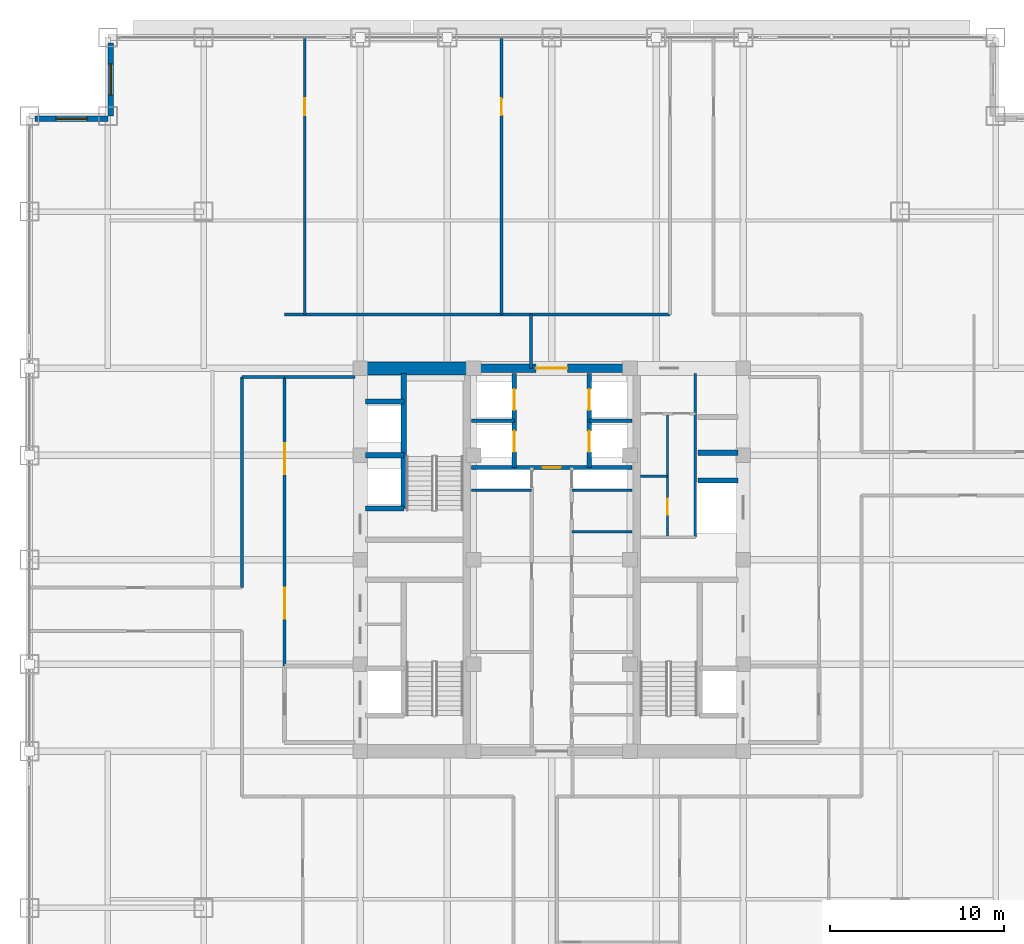
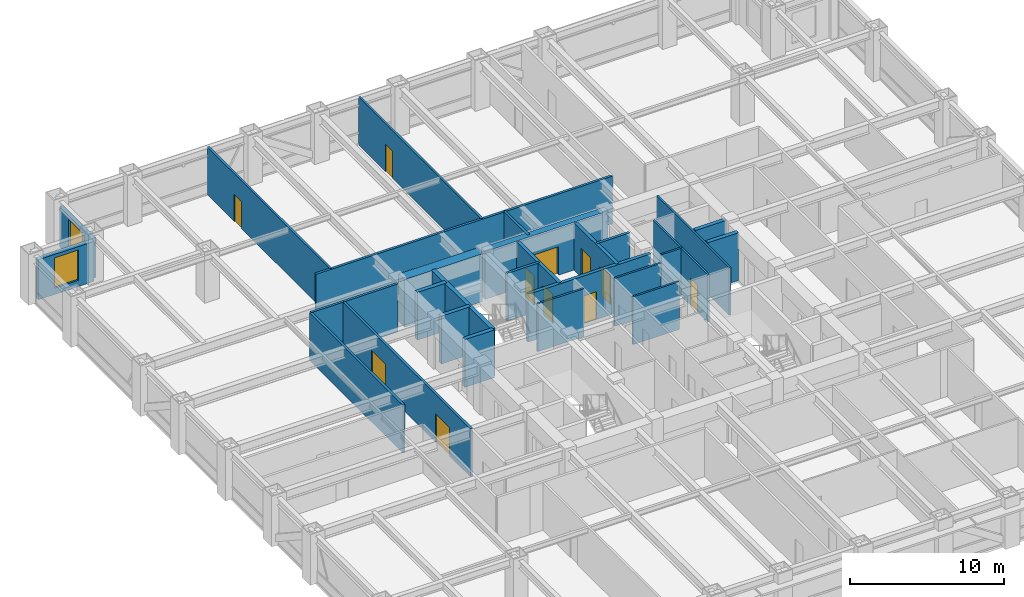
# One storey, part 22 of 28: 29 walls, 11 doors, 2 windows, 13 openings.
"""IFC4 building model written with IfcOpenShell, lengths in metres."""

from ifc_helpers import new_model, si_unit, direction, frame, frame_2d, origin, place, context, subcontext, project, spatial, rectangle, extrude, source, transform, mapped, material, layer, layer_set, type_object, element, fill, save


model = new_model("IFC4")

# Units and contexts
model_context = context("Model", 3, precision=1e-05, world=origin(), true_north=direction((0.0, 1.0)))
body_context = subcontext(model_context, "Body", "Model", "MODEL_VIEW")
ifc_project = project(units=[si_unit("LENGTHUNIT", "METRE"), si_unit("AREAUNIT", "SQUARE_METRE"), si_unit("VOLUMEUNIT", "CUBIC_METRE"), si_unit("PLANEANGLEUNIT", "RADIAN"), si_unit("MASSUNIT", "GRAM", prefix="KILO")], contexts=[model_context])

# Site, building, storey
site_placement = place(None, origin())
site = spatial("IfcSite", under=ifc_project, at=site_placement, CompositionType="ELEMENT")
building_placement = place(site_placement, origin())
building = spatial("IfcBuilding", under=site, at=building_placement, Name="Khorayat Bourse Tower", CompositionType="ELEMENT")
storey_placement = place(building_placement, frame((0.0, 0.0, 191.10009765625)))
storey = spatial("IfcBuildingStorey", under=building, at=storey_placement, Name="L44", CompositionType="ELEMENT", Elevation=191.10009765625)

# Wall
ifc_material_1 = material(Name="Concrete C72/90", Category="concrete")
ifc_layer_1 = layer(ifc_material_1, 0.75)
ifc_layer_set_1 = layer_set([ifc_layer_1], Name="Concrete C72/90")
wall_type_1 = type_object("IfcWallType", Name="WAL-CORE-750", PredefinedType="SHEAR", material=ifc_layer_set_1)
shared_shape_1 = source(origin(), body_context, "Body", "SweptSolid", [
    extrude(rectangle(XDim=5.849853515625, YDim=0.75, at=frame_2d((2.9248046875, 0.0))), origin(), (0.0, 0.0, 1.0), 3.77978515625),
])
wall_1_placement = place(storey_placement, frame((-10.699951171875, 11.0, 0.0), z_axis=(0.0, 0.0, 1.0), x_axis=(1.0, 0.0, 0.0)))
element("IfcWall", 1, at=wall_1_placement, inside=storey, type_object=wall_type_1, Name="L44 Core Shear Wall PIER-WN", PredefinedType="SHEAR", context=body_context, shape_type="MappedRepresentation", body=[
    mapped(shared_shape_1, transform((0.0, 0.0, 0.0), scale=1.0)),
])

# Wall, opening, door
ifc_material_2 = material(Name="Concrete C52/65", Category="concrete")
ifc_layer_2 = layer(ifc_material_2, 0.5)
ifc_layer_set_2 = layer_set([ifc_layer_2], Name="Concrete C52/65")
wall_type_2 = type_object("IfcWallType", Name="WAL-CORE-500", PredefinedType="SHEAR", material=ifc_layer_set_2)
shared_shape_2 = source(origin(), body_context, "Body", "SweptSolid", [
    extrude(rectangle(XDim=9.2001953125, YDim=0.5, at=frame_2d((4.60009765625, 0.0))), origin(), (0.0, 0.0, 1.0), 3.77978515625),
])
wall_2_placement = place(storey_placement, frame((-4.60009765625, 11.0, 0.0), z_axis=(0.0, 0.0, 1.0), x_axis=(1.0, 0.0, 0.0)))
wall_2 = element("IfcWall", 2, at=wall_2_placement, inside=storey, type_object=wall_type_2, Name="L44 Core Shear Wall CORE-N", PredefinedType="SHEAR", context=body_context, shape_type="MappedRepresentation", body=[
    mapped(shared_shape_2, transform((0.0, 0.0, 0.0), scale=1.0)),
])
shared_shape_3 = source(origin(), body_context, "Body", "SweptSolid", [
    extrude(rectangle(XDim=1.800048828125, YDim=2.25, at=frame_2d((0.89990234375, 1.125))), frame((0.0, 0.260009765625, 0.0), z_axis=(0.0, -1.0, 0.0), x_axis=(1.0, 0.0, 0.0)), (0.0, 0.0, 1.0), 0.52001953125),
])
opening_1_placement = place(wall_2_placement, frame((3.699951171875, 0.0, 0.0)))
opening_1 = element("IfcOpeningElement", 3, at=opening_1_placement, cuts=wall_2, Name="Opening DI-03", PredefinedType="OPENING", context=body_context, shape_type="MappedRepresentation", body=[
    mapped(shared_shape_3, transform((0.0, 0.0, 0.0), scale=1.0)),
])
ifc_material_3 = material(Name="Fire-rated hardwood vision-panel double leaf", Category="wood")
door_type_1 = type_object("IfcDoorType", Name="DR-INT-CORR-1800", OperationType="NOTDEFINED", PredefinedType="DOOR", material=ifc_material_3)
shared_shape_4 = source(origin(), body_context, "Body", "SweptSolid", [
    extrude(rectangle(XDim=1.800048828125, YDim=2.25, at=frame_2d((0.89990234375, 1.125))), frame((0.0, 0.02490234375, 0.0), z_axis=(0.0, -1.0, 0.0), x_axis=(1.0, 0.0, 0.0)), (0.0, 0.0, 1.0), 0.050048828125),
])
door_1_placement = place(opening_1_placement, origin())
door_1 = element("IfcDoor", 4, at=door_1_placement, inside=storey, type_object=door_type_1, Name="L44 Mid-Rise Lift Lobby Door", OperationType="SINGLE_SWING_RIGHT", OverallHeight=2.25, OverallWidth=1.800048828125, PredefinedType="DOOR", context=body_context, shape_type="MappedRepresentation", body=[
    mapped(shared_shape_4, transform((0.0, 0.0, 0.0), scale=1.0)),
])
fill(opening_1, door_1)

# Wall, opening, window
ifc_material_4 = material(Name="Precast concrete C45/55", Category="concrete")
ifc_layer_3 = layer(ifc_material_4, 0.320068359375)
ifc_layer_set_3 = layer_set([ifc_layer_3], Name="Precast concrete C45/55")
wall_type_3 = type_object("IfcWallType", Name="WAL-EXT-STONE-320", PredefinedType="STANDARD", material=ifc_layer_set_3)
shared_shape_5 = source(origin(), body_context, "Body", "SweptSolid", [
    extrude(rectangle(XDim=4.179931640625, YDim=0.320068359375, at=frame_2d((2.08984375, 0.0))), origin(), (0.0, 0.0, 1.0), 3.163818359375),
])
wall_3_placement = place(storey_placement, frame((-25.340087890625, 25.5, 0.0), z_axis=(0.0, 0.0, 1.0), x_axis=(0.0, 1.0, 0.0)))
wall_3 = element("IfcWall", 5, at=wall_3_placement, inside=storey, type_object=wall_type_3, Name="L44 Re-Entrant Notch Limestone Wall NW-V", PredefinedType="STANDARD", context=body_context, shape_type="MappedRepresentation", body=[
    mapped(shared_shape_5, transform((0.0, 0.0, 0.0), scale=1.0)),
])
shared_shape_6 = source(origin(), body_context, "Body", "SweptSolid", [
    extrude(rectangle(XDim=1.800048828125, YDim=2.39990234375, at=frame_2d((0.89990234375, 1.199951171875))), frame((0.0, 0.169921875, 0.0), z_axis=(0.0, -1.0, 0.0), x_axis=(1.0, 0.0, 0.0)), (0.0, 0.0, 1.0), 0.340087890625),
])
opening_2_placement = place(wall_3_placement, frame((1.18994140625, 0.0, 0.5)))
opening_2 = element("IfcOpeningElement", 6, at=opening_2_placement, cuts=wall_3, Name="Opening WN-04", PredefinedType="OPENING", context=body_context, shape_type="MappedRepresentation", body=[
    mapped(shared_shape_6, transform((0.0, 0.0, 0.0), scale=1.0)),
])
ifc_material_5 = material(Name="Low-E acoustic laminated double glazing", Category="glass")
window_type = type_object("IfcWindowType", Name="WIN-NOTCH-1800x2400", PartitioningType="SINGLE_PANEL", PredefinedType="WINDOW", material=ifc_material_5)
shared_shape_7 = source(origin(), body_context, "Body", "SweptSolid", [
    extrude(rectangle(XDim=1.800048828125, YDim=2.39990234375, at=frame_2d((0.89990234375, 1.199951171875))), frame((0.0, 0.030029296875, 0.0), z_axis=(0.0, -1.0, 0.0), x_axis=(1.0, 0.0, 0.0)), (0.0, 0.0, 1.0), 0.06005859375),
])
window_1_placement = place(opening_2_placement, origin())
window_1 = element("IfcWindow", 7, at=window_1_placement, inside=storey, type_object=window_type, Name="L44 Facade Window 1", OverallHeight=2.39990234375, OverallWidth=1.800048828125, PartitioningType="SINGLE_PANEL", PredefinedType="WINDOW", context=body_context, shape_type="MappedRepresentation", body=[
    mapped(shared_shape_7, transform((0.0, 0.0, 0.0), scale=1.0)),
])
fill(opening_2, window_1)

wall_4_placement = place(storey_placement, frame((-25.5, 25.340087890625, 0.0), z_axis=(0.0, 0.0, 1.0), x_axis=(-1.0, 0.0, 0.0)))
wall_4 = element("IfcWall", 8, at=wall_4_placement, inside=storey, type_object=wall_type_3, Name="L44 Re-Entrant Notch Limestone Wall NW-H", PredefinedType="STANDARD", context=body_context, shape_type="MappedRepresentation", body=[
    mapped(shared_shape_5, transform((0.0, 0.0, 0.0), scale=1.0)),
])
opening_3_placement = place(wall_4_placement, frame((1.18994140625, 0.0, 0.5)))
opening_3 = element("IfcOpeningElement", 9, at=opening_3_placement, cuts=wall_4, Name="Opening WN-04", PredefinedType="OPENING", context=body_context, shape_type="MappedRepresentation", body=[
    mapped(shared_shape_6, transform((0.0, 0.0, 0.0), scale=1.0)),
])
window_2_placement = place(opening_3_placement, origin())
window_2 = element("IfcWindow", 10, at=window_2_placement, inside=storey, type_object=window_type, Name="L44 Facade Window 1", OverallHeight=2.39990234375, OverallWidth=1.800048828125, PartitioningType="SINGLE_PANEL", PredefinedType="WINDOW", context=body_context, shape_type="MappedRepresentation", body=[
    mapped(shared_shape_7, transform((0.0, 0.0, 0.0), scale=1.0)),
])
fill(opening_3, window_2)

# Walls
ifc_material_6 = material(Name="Concrete C50/60", Category="concrete")
ifc_layer_4 = layer(ifc_material_6, 0.300048828125)
ifc_layer_set_4 = layer_set([ifc_layer_4], Name="Concrete C50/60")
wall_type_4 = type_object("IfcWallType", Name="WAL-SHAFT-300", PredefinedType="SHEAR", material=ifc_layer_set_4)
shared_shape_8 = source(origin(), body_context, "Body", "SweptSolid", [
    extrude(rectangle(XDim=2.199951171875, YDim=0.300048828125, at=frame_2d((1.10009765625, 0.0))), origin(), (0.0, 0.0, 1.0), 3.77978515625),
])
for number, where, z_axis, x_axis, name in (
    (11, (-10.699951171875, 2.949951171875, 0.0), (0.0, 0.0, 1.0), (1.0, 0.0, 0.0), "L44 Partition WAL-L44-WPIER-H1S"),
    (12, (-10.699951171875, 6.0, 0.0), (0.0, 0.0, 1.0), (1.0, 0.0, 0.0), "L44 Partition WAL-L44-WPIER-H12"),
    (13, (-10.699951171875, 9.10009765625, 0.0), (0.0, 0.0, 1.0), (1.0, 0.0, 0.0), "L44 Partition WAL-L44-WPIER-H2N"),
):
    element("IfcWall", number, at=place(storey_placement, frame(where, z_axis=z_axis, x_axis=x_axis)), inside=storey, type_object=wall_type_4, Name=name, PredefinedType="SHEAR", context=body_context, shape_type="MappedRepresentation", body=[
        mapped(shared_shape_8, transform((0.0, 0.0, 0.0), scale=1.0)),
    ])
shared_shape_9 = source(origin(), body_context, "Body", "SweptSolid", [
    extrude(rectangle(XDim=7.75, YDim=0.300048828125, at=frame_2d((3.875, 0.0))), origin(), (0.0, 0.0, 1.0), 3.77978515625),
])
wall_5_placement = place(storey_placement, frame((-8.5, 2.949951171875, 0.0), z_axis=(0.0, 0.0, 1.0), x_axis=(0.0, 1.0, 0.0)))
element("IfcWall", 14, at=wall_5_placement, inside=storey, type_object=wall_type_4, Name="L44 Partition WAL-L44-WPIER-ST2S", PredefinedType="SHEAR", context=body_context, shape_type="MappedRepresentation", body=[
    mapped(shared_shape_9, transform((0.0, 0.0, 0.0), scale=1.0)),
])
shared_shape_10 = source(origin(), body_context, "Body", "SweptSolid", [
    extrude(rectangle(XDim=2.300048828125, YDim=0.300048828125, at=frame_2d((1.14990234375, 0.0))), origin(), (0.0, 0.0, 1.0), 3.77978515625),
])
for number, where, z_axis, x_axis, name in (
    (15, (8.39990234375, 4.550048828125, 0.0), (0.0, 0.0, 1.0), (1.0, 0.0, 0.0), "L44 Partition WAL-L44-EPIER-SVLN"),
    (16, (8.39990234375, 6.14990234375, 0.0), (0.0, 0.0, 1.0), (1.0, 0.0, 0.0), "L44 Partition WAL-L44-EPIER-H3S"),
):
    element("IfcWall", number, at=place(storey_placement, frame(where, z_axis=z_axis, x_axis=x_axis)), inside=storey, type_object=wall_type_4, Name=name, PredefinedType="SHEAR", context=body_context, shape_type="MappedRepresentation", body=[
        mapped(shared_shape_10, transform((0.0, 0.0, 0.0), scale=1.0)),
    ])
ifc_material_7 = material(Name="Moisture-resistant masonry partition", Category="masonry")
ifc_layer_5 = layer(ifc_material_7, 0.139892578125)
ifc_layer_set_5 = layer_set([ifc_layer_5], Name="Moisture-resistant masonry partition")
wall_type_5 = type_object("IfcWallType", Name="WAL-PART-WET-140", PredefinedType="PARTITIONING", material=ifc_layer_set_5)
shared_shape_11 = source(origin(), body_context, "Body", "SweptSolid", [
    extrude(rectangle(XDim=9.39990234375, YDim=0.139892578125, at=frame_2d((4.699951171875, 0.0))), origin(), (0.0, 0.0, 1.0), 3.77978515625),
])
wall_6_placement = place(storey_placement, frame((8.25, 1.300048828125, 0.0), z_axis=(0.0, 0.0, 1.0), x_axis=(0.0, 1.0, 0.0)))
element("IfcWall", 17, at=wall_6_placement, inside=storey, type_object=wall_type_5, Name="L44 Partition WAL-L44-ECORE-E", PredefinedType="PARTITIONING", context=body_context, shape_type="MappedRepresentation", body=[
    mapped(shared_shape_11, transform((0.0, 0.0, 0.0), scale=1.0)),
])
ifc_material_8 = material(Name="Gypsum plasterboard acoustic stud wall")
ifc_layer_6 = layer(ifc_material_8, 0.179931640625)
ifc_layer_set_6 = layer_set([ifc_layer_6], Name="Gypsum plasterboard acoustic stud wall")
wall_type_6 = type_object("IfcWallType", Name="WAL-PART-CORR-180", PredefinedType="PARTITIONING", material=ifc_layer_set_6)
shared_shape_12 = source(origin(), body_context, "Body", "SweptSolid", [
    extrude(rectangle(XDim=4.050048828125, YDim=0.179931640625, at=frame_2d((2.02490234375, 0.0))), origin(), (0.0, 0.0, 1.0), 3.77978515625),
])
wall_7_placement = place(storey_placement, frame((-15.35009765625, 10.5, 0.0), z_axis=(0.0, 0.0, 1.0), x_axis=(1.0, 0.0, 0.0)))
element("IfcWall", 18, at=wall_7_placement, inside=storey, type_object=wall_type_6, Name="L44 Partition WAL-L44-WLOB-N", PredefinedType="PARTITIONING", context=body_context, shape_type="MappedRepresentation", body=[
    mapped(shared_shape_12, transform((0.0, 0.0, 0.0), scale=1.0)),
])

# Wall, openings, doors
shared_shape_13 = source(origin(), body_context, "Body", "SweptSolid", [
    extrude(rectangle(XDim=16.60009765625, YDim=0.179931640625, at=frame_2d((8.300048828125, 0.0))), origin(), (0.0, 0.0, 1.0), 3.77978515625),
])
wall_8_placement = place(storey_placement, frame((-15.35009765625, -6.10009765625, 0.0), z_axis=(0.0, 0.0, 1.0), x_axis=(0.0, 1.0, 0.0)))
wall_8 = element("IfcWall", 19, at=wall_8_placement, inside=storey, type_object=wall_type_6, Name="L44 Partition WAL-L44-WLOB-W", PredefinedType="PARTITIONING", context=body_context, shape_type="MappedRepresentation", body=[
    mapped(shared_shape_13, transform((0.0, 0.0, 0.0), scale=1.0)),
])
shared_shape_14 = source(origin(), body_context, "Body", "SweptSolid", [
    extrude(rectangle(XDim=1.800048828125, YDim=2.25, at=frame_2d((0.89990234375, 1.125))), frame((0.0, 0.099853515625, 0.0), z_axis=(0.0, -1.0, 0.0), x_axis=(1.0, 0.0, 0.0)), (0.0, 0.0, 1.0), 0.199951171875),
])
opening_4_placement = place(wall_8_placement, frame((2.699951171875, 0.0, 0.0)))
opening_4 = element("IfcOpeningElement", 20, at=opening_4_placement, cuts=wall_8, Name="Opening DI-03", PredefinedType="OPENING", context=body_context, shape_type="MappedRepresentation", body=[
    mapped(shared_shape_14, transform((0.0, 0.0, 0.0), scale=1.0)),
])
opening_5_placement = place(wall_8_placement, frame((11.0, 0.0, 0.0)))
opening_5 = element("IfcOpeningElement", 21, at=opening_5_placement, cuts=wall_8, Name="Opening DI-03", PredefinedType="OPENING", context=body_context, shape_type="MappedRepresentation", body=[
    mapped(shared_shape_14, transform((0.0, 0.0, 0.0), scale=1.0)),
])
door_2_placement = place(opening_4_placement, origin())
door_2 = element("IfcDoor", 22, at=door_2_placement, inside=storey, type_object=door_type_1, Name="L44 West Core Lobby South Door", OperationType="SINGLE_SWING_LEFT", OverallHeight=2.25, OverallWidth=1.800048828125, PredefinedType="DOOR", context=body_context, shape_type="MappedRepresentation", body=[
    mapped(shared_shape_4, transform((0.0, 0.0, 0.0), scale=1.0)),
])
fill(opening_4, door_2)
door_3_placement = place(opening_5_placement, origin())
door_3 = element("IfcDoor", 23, at=door_3_placement, inside=storey, type_object=door_type_1, Name="L44 West Core Lobby North Door", OperationType="SINGLE_SWING_RIGHT", OverallHeight=2.25, OverallWidth=1.800048828125, PredefinedType="DOOR", context=body_context, shape_type="MappedRepresentation", body=[
    mapped(shared_shape_4, transform((0.0, 0.0, 0.0), scale=1.0)),
])
fill(opening_5, door_3)

# Walls
ifc_material_9 = material(Name="Gypsum plasterboard twin-frame partition")
ifc_layer_7 = layer(ifc_material_9, 0.14990234375)
ifc_layer_set_7 = layer_set([ifc_layer_7], Name="Gypsum plasterboard twin-frame partition")
wall_type_7 = type_object("IfcWallType", Name="WAL-PART-SUITE-150", PredefinedType="PARTITIONING", material=ifc_layer_set_7)
shared_shape_15 = source(origin(), body_context, "Body", "SweptSolid", [
    extrude(rectangle(XDim=3.4501953125, YDim=0.14990234375, at=frame_2d((1.72509765625, 0.0))), origin(), (0.0, 0.0, 1.0), 3.77978515625),
])
for number, where, z_axis, x_axis, name in (
    (24, (-4.60009765625, 4.0, 0.0), (0.0, 0.0, 1.0), (1.0, 0.0, 0.0), "L44 Partition WAL-L44-CRSW-S"),
    (25, (1.14990234375, 4.0, 0.0), (0.0, 0.0, 1.0), (1.0, 0.0, 0.0), "L44 Partition WAL-L44-CRSE-S"),
):
    element("IfcWall", number, at=place(storey_placement, frame(where, z_axis=z_axis, x_axis=x_axis)), inside=storey, type_object=wall_type_7, Name=name, PredefinedType="PARTITIONING", context=body_context, shape_type="MappedRepresentation", body=[
        mapped(shared_shape_15, transform((0.0, 0.0, 0.0), scale=1.0)),
    ])
shared_shape_16 = source(origin(), body_context, "Body", "SweptSolid", [
    extrude(rectangle(XDim=3.4501953125, YDim=0.139892578125, at=frame_2d((1.72509765625, 0.0))), origin(), (0.0, 0.0, 1.0), 3.77978515625),
])
wall_9_placement = place(storey_placement, frame((1.14990234375, 1.60009765625, 0.0), z_axis=(0.0, 0.0, 1.0), x_axis=(1.0, 0.0, 0.0)))
element("IfcWall", 26, at=wall_9_placement, inside=storey, type_object=wall_type_5, Name="L44 Partition WAL-L44-CME-D2", PredefinedType="PARTITIONING", context=body_context, shape_type="MappedRepresentation", body=[
    mapped(shared_shape_16, transform((0.0, 0.0, 0.0), scale=1.0)),
])

# Wall, openings, doors
shared_shape_17 = source(origin(), body_context, "Body", "SweptSolid", [
    extrude(rectangle(XDim=5.39990234375, YDim=0.25, at=frame_2d((2.699951171875, 0.0))), origin(), (0.0, 0.0, 1.0), 3.77978515625),
])
wall_10_placement = place(storey_placement, frame((-2.14990234375, 5.300048828125, 0.0), z_axis=(0.0, 0.0, 1.0), x_axis=(0.0, 1.0, 0.0)))
wall_10 = element("IfcWall", 27, at=wall_10_placement, inside=storey, type_object=wall_type_4, Name="L44 Partition WAL-L44-B2-W", PredefinedType="SHEAR", context=body_context, shape_type="MappedRepresentation", body=[
    mapped(shared_shape_17, transform((0.0, 0.0, 0.0), scale=1.0)),
])
shared_shape_18 = source(origin(), body_context, "Body", "SweptSolid", [
    extrude(rectangle(XDim=1.199951171875, YDim=2.300048828125, at=frame_2d((0.60009765625, 1.14990234375))), frame((0.0, 0.135009765625, 0.0), z_axis=(0.0, -1.0, 0.0), x_axis=(1.0, 0.0, 0.0)), (0.0, 0.0, 1.0), 0.27001953125),
])
opening_6_placement = place(wall_10_placement, frame((3.300048828125, 0.0, 0.0)))
opening_6 = element("IfcOpeningElement", 28, at=opening_6_placement, cuts=wall_10, Name="Opening LD-01", PredefinedType="OPENING", context=body_context, shape_type="MappedRepresentation", body=[
    mapped(shared_shape_18, transform((0.0, 0.0, 0.0), scale=1.0)),
])
opening_7_placement = place(wall_10_placement, frame((0.89990234375, 0.0, 0.0)))
opening_7 = element("IfcOpeningElement", 29, at=opening_7_placement, cuts=wall_10, Name="Opening LD-01", PredefinedType="OPENING", context=body_context, shape_type="MappedRepresentation", body=[
    mapped(shared_shape_18, transform((0.0, 0.0, 0.0), scale=1.0)),
])
ifc_material_10 = material(Name="Brushed bronze stainless-steel sliding door", Category="steel")
door_type_2 = type_object("IfcDoorType", Name="DR-LIFT-PASS-1200", OperationType="NOTDEFINED", PredefinedType="DOOR", material=ifc_material_10)
shared_shape_19 = source(origin(), body_context, "Body", "SweptSolid", [
    extrude(rectangle(XDim=1.199951171875, YDim=2.300048828125, at=frame_2d((0.60009765625, 1.14990234375))), frame((0.0, 0.02490234375, 0.0), z_axis=(0.0, -1.0, 0.0), x_axis=(1.0, 0.0, 0.0)), (0.0, 0.0, 1.0), 0.050048828125),
])
door_4_placement = place(opening_6_placement, origin())
door_4 = element("IfcDoor", 30, at=door_4_placement, inside=storey, type_object=door_type_2, Name="L44 Lift PL-M1 Sliding Landing Door", OperationType="SLIDING_TO_LEFT", OverallHeight=2.300048828125, OverallWidth=1.199951171875, PredefinedType="DOOR", context=body_context, shape_type="MappedRepresentation", body=[
    mapped(shared_shape_19, transform((0.0, 0.0, 0.0), scale=1.0)),
])
fill(opening_6, door_4)
door_5_placement = place(opening_7_placement, origin())
door_5 = element("IfcDoor", 31, at=door_5_placement, inside=storey, type_object=door_type_2, Name="L44 Lift PL-M3 Sliding Landing Door", OperationType="SLIDING_TO_LEFT", OverallHeight=2.300048828125, OverallWidth=1.199951171875, PredefinedType="DOOR", context=body_context, shape_type="MappedRepresentation", body=[
    mapped(shared_shape_19, transform((0.0, 0.0, 0.0), scale=1.0)),
])
fill(opening_7, door_5)

wall_11_placement = place(storey_placement, frame((2.14990234375, 5.300048828125, 0.0), z_axis=(0.0, 0.0, 1.0), x_axis=(0.0, 1.0, 0.0)))
wall_11 = element("IfcWall", 32, at=wall_11_placement, inside=storey, type_object=wall_type_4, Name="L44 Partition WAL-L44-B2-E", PredefinedType="SHEAR", context=body_context, shape_type="MappedRepresentation", body=[
    mapped(shared_shape_17, transform((0.0, 0.0, 0.0), scale=1.0)),
])
opening_8_placement = place(wall_11_placement, frame((3.300048828125, 0.0, 0.0)))
opening_8 = element("IfcOpeningElement", 33, at=opening_8_placement, cuts=wall_11, Name="Opening LD-01", PredefinedType="OPENING", context=body_context, shape_type="MappedRepresentation", body=[
    mapped(shared_shape_18, transform((0.0, 0.0, 0.0), scale=1.0)),
])
opening_9_placement = place(wall_11_placement, frame((0.89990234375, 0.0, 0.0)))
opening_9 = element("IfcOpeningElement", 34, at=opening_9_placement, cuts=wall_11, Name="Opening LD-01", PredefinedType="OPENING", context=body_context, shape_type="MappedRepresentation", body=[
    mapped(shared_shape_18, transform((0.0, 0.0, 0.0), scale=1.0)),
])
door_6_placement = place(opening_8_placement, origin())
door_6 = element("IfcDoor", 35, at=door_6_placement, inside=storey, type_object=door_type_2, Name="L44 Lift PL-M2 Sliding Landing Door", OperationType="SLIDING_TO_LEFT", OverallHeight=2.300048828125, OverallWidth=1.199951171875, PredefinedType="DOOR", context=body_context, shape_type="MappedRepresentation", body=[
    mapped(shared_shape_19, transform((0.0, 0.0, 0.0), scale=1.0)),
])
fill(opening_8, door_6)
door_7_placement = place(opening_9_placement, origin())
door_7 = element("IfcDoor", 36, at=door_7_placement, inside=storey, type_object=door_type_2, Name="L44 Lift PL-M4 Sliding Landing Door", OperationType="SLIDING_TO_LEFT", OverallHeight=2.300048828125, OverallWidth=1.199951171875, PredefinedType="DOOR", context=body_context, shape_type="MappedRepresentation", body=[
    mapped(shared_shape_19, transform((0.0, 0.0, 0.0), scale=1.0)),
])
fill(opening_9, door_7)

# Walls
shared_shape_20 = source(origin(), body_context, "Body", "SweptSolid", [
    extrude(rectangle(XDim=2.4501953125, YDim=0.199951171875, at=frame_2d((1.22509765625, 0.0))), origin(), (0.0, 0.0, 1.0), 3.77978515625),
])
for number, where, z_axis, x_axis, name in (
    (37, (-4.60009765625, 8.0, 0.0), (0.0, 0.0, 1.0), (1.0, 0.0, 0.0), "L44 Partition WAL-L44-B2-MW"),
    (38, (2.14990234375, 8.0, 0.0), (0.0, 0.0, 1.0), (1.0, 0.0, 0.0), "L44 Partition WAL-L44-B2-ME"),
):
    element("IfcWall", number, at=place(storey_placement, frame(where, z_axis=z_axis, x_axis=x_axis)), inside=storey, type_object=wall_type_4, Name=name, PredefinedType="SHEAR", context=body_context, shape_type="MappedRepresentation", body=[
        mapped(shared_shape_20, transform((0.0, 0.0, 0.0), scale=1.0)),
    ])

# Wall, opening, door
shared_shape_21 = source(origin(), body_context, "Body", "SweptSolid", [
    extrude(rectangle(XDim=9.2001953125, YDim=0.25, at=frame_2d((4.60009765625, 0.0))), origin(), (0.0, 0.0, 1.0), 3.77978515625),
])
wall_12_placement = place(storey_placement, frame((-4.60009765625, 5.300048828125, 0.0), z_axis=(0.0, 0.0, 1.0), x_axis=(1.0, 0.0, 0.0)))
wall_12 = element("IfcWall", 39, at=wall_12_placement, inside=storey, type_object=wall_type_4, Name="L44 Partition WAL-L44-B2-S", PredefinedType="SHEAR", context=body_context, shape_type="MappedRepresentation", body=[
    mapped(shared_shape_21, transform((0.0, 0.0, 0.0), scale=1.0)),
])
shared_shape_22 = source(origin(), body_context, "Body", "SweptSolid", [
    extrude(rectangle(XDim=1.050048828125, YDim=2.199951171875, at=frame_2d((0.52490234375, 1.10009765625))), frame((0.0, 0.135009765625, 0.0), z_axis=(0.0, -1.0, 0.0), x_axis=(1.0, 0.0, 0.0)), (0.0, 0.0, 1.0), 0.27001953125),
])
opening_10_placement = place(wall_12_placement, frame((4.074951171875, 0.0, 0.0)))
opening_10 = element("IfcOpeningElement", 40, at=opening_10_placement, cuts=wall_12, Name="Opening DI-04", PredefinedType="OPENING", context=body_context, shape_type="MappedRepresentation", body=[
    mapped(shared_shape_22, transform((0.0, 0.0, 0.0), scale=1.0)),
])
ifc_material_11 = material(Name="Fire-rated oak veneer suite entrance door")
door_type_3 = type_object("IfcDoorType", Name="DR-INT-SUITE-1050", OperationType="NOTDEFINED", PredefinedType="DOOR", material=ifc_material_11)
shared_shape_23 = source(origin(), body_context, "Body", "SweptSolid", [
    extrude(rectangle(XDim=1.050048828125, YDim=2.199951171875, at=frame_2d((0.52490234375, 1.10009765625))), frame((0.0, 0.02490234375, 0.0), z_axis=(0.0, -1.0, 0.0), x_axis=(1.0, 0.0, 0.0)), (0.0, 0.0, 1.0), 0.050048828125),
])
door_8_placement = place(opening_10_placement, origin())
door_8 = element("IfcDoor", 41, at=door_8_placement, inside=storey, type_object=door_type_3, Name="L44 Core Spine North Door", OperationType="SINGLE_SWING_RIGHT", OverallHeight=2.199951171875, OverallWidth=1.050048828125, PredefinedType="DOOR", context=body_context, shape_type="MappedRepresentation", body=[
    mapped(shared_shape_23, transform((0.0, 0.0, 0.0), scale=1.0)),
])
fill(opening_10, door_8)

# Walls
shared_shape_24 = source(origin(), body_context, "Body", "SweptSolid", [
    extrude(rectangle(XDim=2.449951171875, YDim=0.179931640625, at=frame_2d((1.22509765625, 0.0))), origin(), (0.0, 0.0, 1.0), 3.77978515625),
])
wall_13_placement = place(storey_placement, frame((-17.800048828125, 10.5, 0.0), z_axis=(0.0, 0.0, 1.0), x_axis=(1.0, 0.0, 0.0)))
element("IfcWall", 42, at=wall_13_placement, inside=storey, type_object=wall_type_6, Name="L44 Partition WAL-L44-C2-WN", PredefinedType="PARTITIONING", context=body_context, shape_type="MappedRepresentation", body=[
    mapped(shared_shape_24, transform((0.0, 0.0, 0.0), scale=1.0)),
])
shared_shape_25 = source(origin(), body_context, "Body", "SweptSolid", [
    extrude(rectangle(XDim=3.10009765625, YDim=0.179931640625, at=frame_2d((1.550048828125, 0.0))), origin(), (0.0, 0.0, 1.0), 3.77978515625),
])
wall_14_placement = place(storey_placement, frame((-1.199951171875, 11.0, 0.0), z_axis=(0.0, 0.0, 1.0), x_axis=(0.0, 1.0, 0.0)))
element("IfcWall", 43, at=wall_14_placement, inside=storey, type_object=wall_type_6, Name="L44 Partition WAL-L44-C2-NCW", PredefinedType="PARTITIONING", context=body_context, shape_type="MappedRepresentation", body=[
    mapped(shared_shape_25, transform((0.0, 0.0, 0.0), scale=1.0)),
])

# Wall, opening, door
shared_shape_26 = source(origin(), body_context, "Body", "SweptSolid", [
    extrude(rectangle(XDim=15.89990234375, YDim=0.14990234375, at=frame_2d((7.949951171875, 0.0))), origin(), (0.0, 0.0, 1.0), 3.77978515625),
])
wall_15_placement = place(storey_placement, frame((-14.195068359375, 14.10009765625, 0.0), z_axis=(0.0, 0.0, 1.0), x_axis=(0.0, 1.0, 0.0)))
wall_15 = element("IfcWall", 44, at=wall_15_placement, inside=storey, type_object=wall_type_7, Name="L44 Partition WAL-L44-QNWDV-1", PredefinedType="PARTITIONING", context=body_context, shape_type="MappedRepresentation", body=[
    mapped(shared_shape_26, transform((0.0, 0.0, 0.0), scale=1.0)),
])
shared_shape_27 = source(origin(), body_context, "Body", "SweptSolid", [
    extrude(rectangle(XDim=0.949951171875, YDim=2.14990234375, at=frame_2d((0.47509765625, 1.074951171875))), frame((0.0, 0.0849609375, 0.0), z_axis=(0.0, -1.0, 0.0), x_axis=(1.0, 0.0, 0.0)), (0.0, 0.0, 1.0), 0.169921875),
])
opening_11_placement = place(wall_15_placement, frame((11.449951171875, 0.0, 0.0)))
opening_11 = element("IfcOpeningElement", 45, at=opening_11_placement, cuts=wall_15, Name="Opening DI-05", PredefinedType="OPENING", context=body_context, shape_type="MappedRepresentation", body=[
    mapped(shared_shape_27, transform((0.0, 0.0, 0.0), scale=1.0)),
])
ifc_material_12 = material(Name="Acoustic oak veneer office door")
door_type_4 = type_object("IfcDoorType", Name="DR-INT-OFFICE-950", OperationType="NOTDEFINED", PredefinedType="DOOR", material=ifc_material_12)
shared_shape_28 = source(origin(), body_context, "Body", "SweptSolid", [
    extrude(rectangle(XDim=0.949951171875, YDim=2.14990234375, at=frame_2d((0.47509765625, 1.074951171875))), frame((0.0, 0.02490234375, 0.0), z_axis=(0.0, -1.0, 0.0), x_axis=(1.0, 0.0, 0.0)), (0.0, 0.0, 1.0), 0.050048828125),
])
door_9_placement = place(opening_11_placement, origin())
door_9 = element("IfcDoor", 46, at=door_9_placement, inside=storey, type_object=door_type_4, Name="L44 North-West Suite Link 1", OperationType="SINGLE_SWING_RIGHT", OverallHeight=2.14990234375, OverallWidth=0.949951171875, PredefinedType="DOOR", context=body_context, shape_type="MappedRepresentation", body=[
    mapped(shared_shape_28, transform((0.0, 0.0, 0.0), scale=1.0)),
])
fill(opening_11, door_9)

wall_16_placement = place(storey_placement, frame((-2.889892578125, 14.10009765625, 0.0), z_axis=(0.0, 0.0, 1.0), x_axis=(0.0, 1.0, 0.0)))
wall_16 = element("IfcWall", 47, at=wall_16_placement, inside=storey, type_object=wall_type_7, Name="L44 Partition WAL-L44-QNWDV-2", PredefinedType="PARTITIONING", context=body_context, shape_type="MappedRepresentation", body=[
    mapped(shared_shape_26, transform((0.0, 0.0, 0.0), scale=1.0)),
])
opening_12_placement = place(wall_16_placement, frame((11.449951171875, 0.0, 0.0)))
opening_12 = element("IfcOpeningElement", 48, at=opening_12_placement, cuts=wall_16, Name="Opening DI-05", PredefinedType="OPENING", context=body_context, shape_type="MappedRepresentation", body=[
    mapped(shared_shape_27, transform((0.0, 0.0, 0.0), scale=1.0)),
])
door_10_placement = place(opening_12_placement, origin())
door_10 = element("IfcDoor", 49, at=door_10_placement, inside=storey, type_object=door_type_4, Name="L44 North-West Suite Link 2", OperationType="SINGLE_SWING_LEFT", OverallHeight=2.14990234375, OverallWidth=0.949951171875, PredefinedType="DOOR", context=body_context, shape_type="MappedRepresentation", body=[
    mapped(shared_shape_28, transform((0.0, 0.0, 0.0), scale=1.0)),
])
fill(opening_12, door_10)

shared_shape_29 = source(origin(), body_context, "Body", "SweptSolid", [
    extrude(rectangle(XDim=7.099853515625, YDim=0.139892578125, at=frame_2d((3.5498046875, 0.0))), origin(), (0.0, 0.0, 1.0), 3.77978515625),
])
wall_17_placement = place(storey_placement, frame((6.64990234375, 1.300048828125, 0.0), z_axis=(0.0, 0.0, 1.0), x_axis=(0.0, 1.0, 0.0)))
wall_17 = element("IfcWall", 50, at=wall_17_placement, inside=storey, type_object=wall_type_5, Name="L44 Partition WAL-L44-ECW-MID", PredefinedType="PARTITIONING", context=body_context, shape_type="MappedRepresentation", body=[
    mapped(shared_shape_29, transform((0.0, 0.0, 0.0), scale=1.0)),
])
shared_shape_30 = source(origin(), body_context, "Body", "SweptSolid", [
    extrude(rectangle(XDim=0.89990234375, YDim=2.14990234375, at=frame_2d((0.449951171875, 1.074951171875))), frame((0.0, 0.079833984375, 0.0), z_axis=(0.0, -1.0, 0.0), x_axis=(1.0, 0.0, 0.0)), (0.0, 0.0, 1.0), 0.159912109375),
])
opening_13_placement = place(wall_17_placement, frame((1.300048828125, 0.0, 0.0)))
opening_13 = element("IfcOpeningElement", 51, at=opening_13_placement, cuts=wall_17, Name="Opening DI-06", PredefinedType="OPENING", context=body_context, shape_type="MappedRepresentation", body=[
    mapped(shared_shape_30, transform((0.0, 0.0, 0.0), scale=1.0)),
])
ifc_material_13 = material(Name="Moisture-resistant laminate washroom door")
door_type_5 = type_object("IfcDoorType", Name="DR-INT-WC-900", OperationType="NOTDEFINED", PredefinedType="DOOR", material=ifc_material_13)
shared_shape_31 = source(origin(), body_context, "Body", "SweptSolid", [
    extrude(rectangle(XDim=0.89990234375, YDim=2.14990234375, at=frame_2d((0.449951171875, 1.074951171875))), frame((0.0, 0.02490234375, 0.0), z_axis=(0.0, -1.0, 0.0), x_axis=(1.0, 0.0, 0.0)), (0.0, 0.0, 1.0), 0.050048828125),
])
door_11_placement = place(opening_13_placement, origin())
door_11 = element("IfcDoor", 52, at=door_11_placement, inside=storey, type_object=door_type_5, Name="L44 Janitor Store Door", OperationType="SINGLE_SWING_LEFT", OverallHeight=2.14990234375, OverallWidth=0.89990234375, PredefinedType="DOOR", context=body_context, shape_type="MappedRepresentation", body=[
    mapped(shared_shape_31, transform((0.0, 0.0, 0.0), scale=1.0)),
])
fill(opening_13, door_11)

# Walls
shared_shape_32 = source(origin(), body_context, "Body", "SweptSolid", [
    extrude(rectangle(XDim=1.5498046875, YDim=0.139892578125, at=frame_2d((0.77490234375, 0.0))), origin(), (0.0, 0.0, 1.0), 3.77978515625),
])
wall_18_placement = place(storey_placement, frame((5.10009765625, 4.800048828125, 0.0), z_axis=(0.0, 0.0, 1.0), x_axis=(1.0, 0.0, 0.0)))
element("IfcWall", 53, at=wall_18_placement, inside=storey, type_object=wall_type_5, Name="L44 Partition WAL-L44-ECW-BOT", PredefinedType="PARTITIONING", context=body_context, shape_type="MappedRepresentation", body=[
    mapped(shared_shape_32, transform((0.0, 0.0, 0.0), scale=1.0)),
])
shared_shape_33 = source(origin(), body_context, "Body", "SweptSolid", [
    extrude(rectangle(XDim=22.150146484375, YDim=0.179931640625, at=frame_2d((11.0751953125, 0.0))), origin(), (0.0, 0.0, 1.0), 3.77978515625),
])
wall_19_placement = place(storey_placement, frame((-15.35009765625, 14.10009765625, 0.0), z_axis=(0.0, 0.0, 1.0), x_axis=(1.0, 0.0, 0.0)))
element("IfcWall", 54, at=wall_19_placement, inside=storey, type_object=wall_type_6, Name="L44 Partition WAL-L44-QNW-HC", PredefinedType="PARTITIONING", context=body_context, shape_type="MappedRepresentation", body=[
    mapped(shared_shape_33, transform((0.0, 0.0, 0.0), scale=1.0)),
])
shared_shape_34 = source(origin(), body_context, "Body", "SweptSolid", [
    extrude(rectangle(XDim=12.10009765625, YDim=0.179931640625, at=frame_2d((6.050048828125, 0.0))), origin(), (0.0, 0.0, 1.0), 3.77978515625),
])
wall_20_placement = place(storey_placement, frame((-17.800048828125, -1.60009765625, 0.0), z_axis=(0.0, 0.0, 1.0), x_axis=(0.0, 1.0, 0.0)))
element("IfcWall", 55, at=wall_20_placement, inside=storey, type_object=wall_type_6, Name="L44 Partition WAL-L44-WN-IN", PredefinedType="PARTITIONING", context=body_context, shape_type="MappedRepresentation", body=[
    mapped(shared_shape_34, transform((0.0, 0.0, 0.0), scale=1.0)),
])

save(model, "model.ifc")
